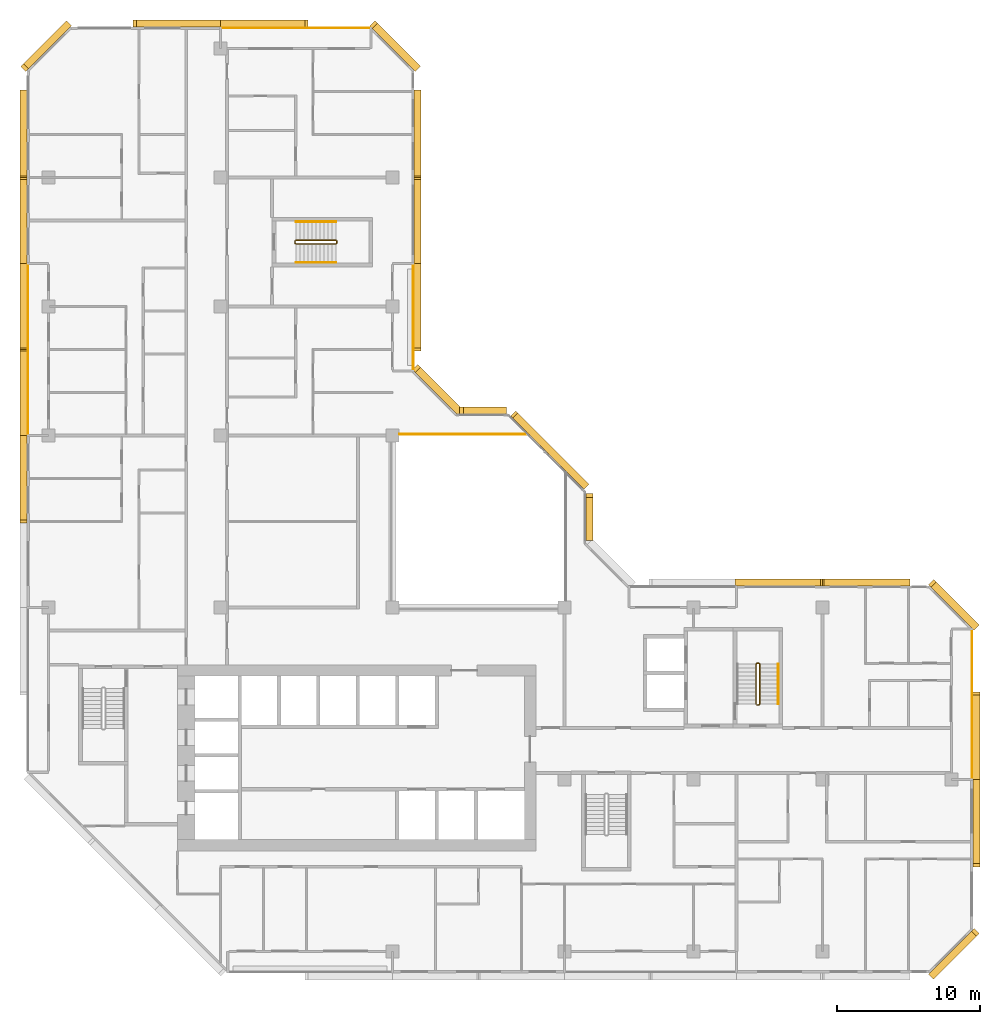
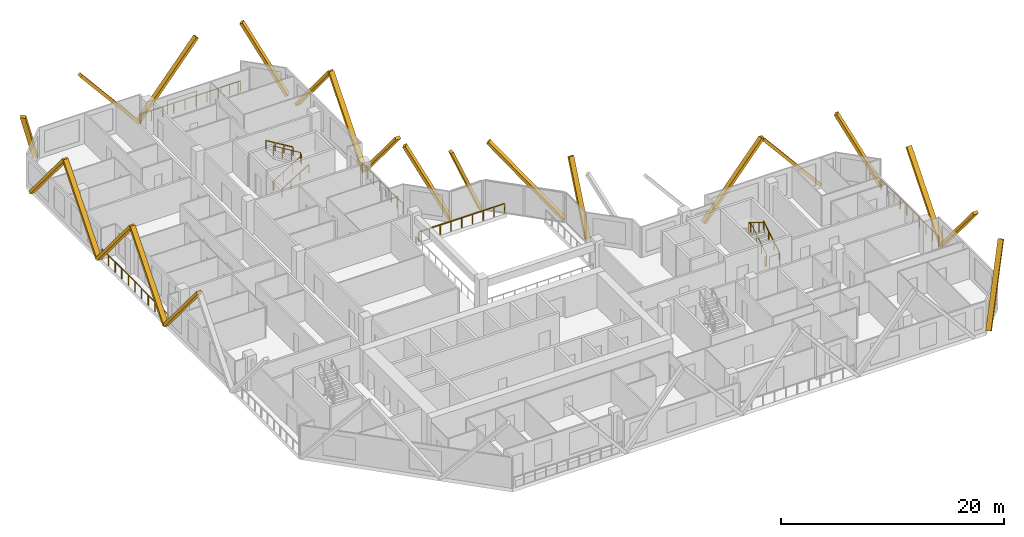
# One storey, part 14 of 14: 22 coverings, 10 railings.
"""IFC4 building model written with IfcOpenShell, lengths in metres."""

from ifc_helpers import new_model, si_unit, direction, frame, origin, origin_2d, place, context, subcontext, project, spatial, rectangle, extrude, material, material_profile, profile_set, type_object, element, save


model = new_model("IFC4")

# Units and contexts
model_context = context("Model", 3, precision=1e-05, world=origin(), true_north=direction((0.0, 1.0)))
body_context = subcontext(model_context, "Body", "Model", "MODEL_VIEW")
ifc_project = project(units=[si_unit("LENGTHUNIT", "METRE"), si_unit("AREAUNIT", "SQUARE_METRE"), si_unit("VOLUMEUNIT", "CUBIC_METRE"), si_unit("PLANEANGLEUNIT", "RADIAN"), si_unit("MASSUNIT", "GRAM", prefix="KILO")], contexts=[model_context])

# Site, building, storey
site_placement = place(None, origin())
site = spatial("IfcSite", under=ifc_project, at=site_placement, CompositionType="ELEMENT")
building_placement = place(site_placement, origin())
building = spatial("IfcBuilding", under=site, at=building_placement, Name="Chenar Terraces", CompositionType="ELEMENT")
storey_placement = place(building_placement, frame((0.0, 0.0, 164.89990234375)))
storey = spatial("IfcBuildingStorey", under=building, at=storey_placement, Name="L37", CompositionType="ELEMENT", Elevation=164.89990234375)

# Railings
ifc_material_1 = material(Name="Powder-coated steel", Category="steel")
railing_type_1 = type_object("IfcRailingType", Name="Guard 1100 steel rail with glass infill", PredefinedType="GUARDRAIL", material=ifc_material_1)
railing_1_placement = place(storey_placement, frame((24.5, 36.10009765625, 0.0)))
element("IfcRailing", 1, at=railing_1_placement, inside=storey, type_object=railing_type_1, Name="Guard L37-2", PredefinedType="GUARDRAIL", context=body_context, shape_type="SweptSolid", body=[
    extrude(rectangle(XDim=0.06005859375, YDim=0.06005859375, at=origin_2d()), frame((0.0, 0.0, 1.070068359375), z_axis=(1.0, 0.0, 0.0), x_axis=(0.0, 1.0, 0.0)), (0.0, 0.0, 1.0), 8.89990234375),
    extrude(rectangle(XDim=0.050048828125, YDim=0.050048828125, at=origin_2d()), origin(), (0.0, 0.0, 1.0), 1.0400390625),
    extrude(rectangle(XDim=0.050048828125, YDim=0.050048828125, at=origin_2d()), frame((1.112548828125, 0.0, 0.0)), (0.0, 0.0, 1.0), 1.0400390625),
    extrude(rectangle(XDim=0.050048828125, YDim=0.050048828125, at=origin_2d()), frame((2.22509765625, 0.0, 0.0)), (0.0, 0.0, 1.0), 1.0400390625),
    extrude(rectangle(XDim=0.050048828125, YDim=0.050048828125, at=origin_2d()), frame((3.33740234375, 0.0, 0.0)), (0.0, 0.0, 1.0), 1.0400390625),
    extrude(rectangle(XDim=0.050048828125, YDim=0.050048828125, at=origin_2d()), frame((4.449951171875, 0.0, 0.0)), (0.0, 0.0, 1.0), 1.0400390625),
    extrude(rectangle(XDim=0.050048828125, YDim=0.050048828125, at=origin_2d()), frame((5.5625, 0.0, 0.0)), (0.0, 0.0, 1.0), 1.0400390625),
    extrude(rectangle(XDim=0.050048828125, YDim=0.050048828125, at=origin_2d()), frame((6.6748046875, 0.0, 0.0)), (0.0, 0.0, 1.0), 1.0400390625),
    extrude(rectangle(XDim=0.050048828125, YDim=0.050048828125, at=origin_2d()), frame((7.787353515625, 0.0, 0.0)), (0.0, 0.0, 1.0), 1.0400390625),
    extrude(rectangle(XDim=0.050048828125, YDim=0.050048828125, at=origin_2d()), frame((8.89990234375, 0.0, 0.0)), (0.0, 0.0, 1.0), 1.0400390625),
])
ifc_material_2 = material(Name="Stainless steel and glass", Category="steel")
railing_type_2 = type_object("IfcRailingType", Name="Loggia guard 1150", PredefinedType="GUARDRAIL", material=ifc_material_2)
railing_2_placement = place(storey_placement, frame((25.449951171875, 40.574951171875, 0.0)))
element("IfcRailing", 2, at=railing_2_placement, inside=storey, type_object=railing_type_2, Name="Loggia guard", PredefinedType="GUARDRAIL", context=body_context, shape_type="SweptSolid", body=[
    extrude(rectangle(XDim=0.048095703125, YDim=0.048095703125, at=origin_2d()), frame((0.0, 0.0, 1.1259765625), z_axis=(0.0, 1.0, 0.0), x_axis=(-1.0, 0.0, 0.0)), (0.0, 0.0, 1.0), 7.35009765625),
    extrude(rectangle(XDim=0.0419921875, YDim=0.0419921875, at=origin_2d()), origin(), (0.0, 0.0, 1.0), 1.101806640625),
    extrude(rectangle(XDim=0.0419921875, YDim=0.0419921875, at=origin_2d()), frame((0.0, 1.050048828125, 0.0)), (0.0, 0.0, 1.0), 1.101806640625),
    extrude(rectangle(XDim=0.0419921875, YDim=0.0419921875, at=origin_2d()), frame((0.0, 2.10009765625, 0.0)), (0.0, 0.0, 1.0), 1.101806640625),
    extrude(rectangle(XDim=0.0419921875, YDim=0.0419921875, at=origin_2d()), frame((0.0, 3.150146484375, 0.0)), (0.0, 0.0, 1.0), 1.101806640625),
    extrude(rectangle(XDim=0.0419921875, YDim=0.0419921875, at=origin_2d()), frame((0.0, 4.199951171875, 0.0)), (0.0, 0.0, 1.0), 1.101806640625),
    extrude(rectangle(XDim=0.0419921875, YDim=0.0419921875, at=origin_2d()), frame((0.0, 5.25, 0.0)), (0.0, 0.0, 1.0), 1.101806640625),
    extrude(rectangle(XDim=0.0419921875, YDim=0.0419921875, at=origin_2d()), frame((0.0, 6.300048828125, 0.0)), (0.0, 0.0, 1.0), 1.101806640625),
    extrude(rectangle(XDim=0.0419921875, YDim=0.0419921875, at=origin_2d()), frame((0.0, 7.35009765625, 0.0)), (0.0, 0.0, 1.0), 1.101806640625),
])
railing_3_placement = place(storey_placement, frame((64.449951171875, 12.074951171875, 0.0)))
element("IfcRailing", 3, at=railing_3_placement, inside=storey, type_object=railing_type_2, Name="Loggia guard", PredefinedType="GUARDRAIL", context=body_context, shape_type="SweptSolid", body=[
    extrude(rectangle(XDim=0.048095703125, YDim=0.048095703125, at=origin_2d()), frame((0.0, 0.0, 1.1259765625), z_axis=(0.0, 1.0, 0.0), x_axis=(-1.0, 0.0, 0.0)), (0.0, 0.0, 1.0), 10.35009765625),
    extrude(rectangle(XDim=0.0419921875, YDim=0.0419921875, at=origin_2d()), origin(), (0.0, 0.0, 1.0), 1.101806640625),
    extrude(rectangle(XDim=0.0419921875, YDim=0.0419921875, at=origin_2d()), frame((0.0, 1.14990234375, 0.0)), (0.0, 0.0, 1.0), 1.101806640625),
    extrude(rectangle(XDim=0.0419921875, YDim=0.0419921875, at=origin_2d()), frame((0.0, 2.300048828125, 0.0)), (0.0, 0.0, 1.0), 1.101806640625),
    extrude(rectangle(XDim=0.0419921875, YDim=0.0419921875, at=origin_2d()), frame((0.0, 3.449951171875, 0.0)), (0.0, 0.0, 1.0), 1.101806640625),
    extrude(rectangle(XDim=0.0419921875, YDim=0.0419921875, at=origin_2d()), frame((0.0, 4.60009765625, 0.0)), (0.0, 0.0, 1.0), 1.101806640625),
    extrude(rectangle(XDim=0.0419921875, YDim=0.0419921875, at=origin_2d()), frame((0.0, 5.75, 0.0)), (0.0, 0.0, 1.0), 1.101806640625),
    extrude(rectangle(XDim=0.0419921875, YDim=0.0419921875, at=origin_2d()), frame((0.0, 6.900146484375, 0.0)), (0.0, 0.0, 1.0), 1.101806640625),
    extrude(rectangle(XDim=0.0419921875, YDim=0.0419921875, at=origin_2d()), frame((0.0, 8.050048828125, 0.0)), (0.0, 0.0, 1.0), 1.101806640625),
    extrude(rectangle(XDim=0.0419921875, YDim=0.0419921875, at=origin_2d()), frame((0.0, 9.2001953125, 0.0)), (0.0, 0.0, 1.0), 1.101806640625),
    extrude(rectangle(XDim=0.0419921875, YDim=0.0419921875, at=origin_2d()), frame((0.0, 10.35009765625, 0.0)), (0.0, 0.0, 1.0), 1.101806640625),
])
railing_4_placement = place(storey_placement, frame((22.425048828125, 64.449951171875, 0.0)))
element("IfcRailing", 4, at=railing_4_placement, inside=storey, type_object=railing_type_2, Name="Loggia guard", PredefinedType="GUARDRAIL", context=body_context, shape_type="SweptSolid", body=[
    extrude(rectangle(XDim=0.048095703125, YDim=0.048095703125, at=origin_2d()), frame((0.0, 0.0, 1.1259765625), z_axis=(-1.0, 0.0, 0.0), x_axis=(0.0, -1.0, 0.0)), (0.0, 0.0, 1.0), 10.35009765625),
    extrude(rectangle(XDim=0.0419921875, YDim=0.0419921875, at=origin_2d()), origin(), (0.0, 0.0, 1.0), 1.101806640625),
    extrude(rectangle(XDim=0.0419921875, YDim=0.0419921875, at=origin_2d()), frame((-1.14990234375, 0.0, 0.0)), (0.0, 0.0, 1.0), 1.101806640625),
    extrude(rectangle(XDim=0.0419921875, YDim=0.0419921875, at=origin_2d()), frame((-2.300048828125, 0.0, 0.0)), (0.0, 0.0, 1.0), 1.101806640625),
    extrude(rectangle(XDim=0.0419921875, YDim=0.0419921875, at=origin_2d()), frame((-3.449951171875, 0.0, 0.0)), (0.0, 0.0, 1.0), 1.101806640625),
    extrude(rectangle(XDim=0.0419921875, YDim=0.0419921875, at=origin_2d()), frame((-4.60009765625, 0.0, 0.0)), (0.0, 0.0, 1.0), 1.101806640625),
    extrude(rectangle(XDim=0.0419921875, YDim=0.0419921875, at=origin_2d()), frame((-5.75, 0.0, 0.0)), (0.0, 0.0, 1.0), 1.101806640625),
    extrude(rectangle(XDim=0.0419921875, YDim=0.0419921875, at=origin_2d()), frame((-6.900146484375, 0.0, 0.0)), (0.0, 0.0, 1.0), 1.101806640625),
    extrude(rectangle(XDim=0.0419921875, YDim=0.0419921875, at=origin_2d()), frame((-8.050048828125, 0.0, 0.0)), (0.0, 0.0, 1.0), 1.101806640625),
    extrude(rectangle(XDim=0.0419921875, YDim=0.0419921875, at=origin_2d()), frame((-9.2001953125, 0.0, 0.0)), (0.0, 0.0, 1.0), 1.101806640625),
    extrude(rectangle(XDim=0.0419921875, YDim=0.0419921875, at=origin_2d()), frame((-10.35009765625, 0.0, 0.0)), (0.0, 0.0, 1.0), 1.101806640625),
])
railing_5_placement = place(storey_placement, frame((-1.449951171875, 47.925048828125, 0.0)))
element("IfcRailing", 5, at=railing_5_placement, inside=storey, type_object=railing_type_2, Name="Loggia guard", PredefinedType="GUARDRAIL", context=body_context, shape_type="SweptSolid", body=[
    extrude(rectangle(XDim=0.048095703125, YDim=0.048095703125, at=origin_2d()), frame((0.0, 0.0, 1.1259765625), z_axis=(0.0, -1.0, 0.0), x_axis=(1.0, 0.0, 0.0)), (0.0, 0.0, 1.0), 11.85009765625),
    extrude(rectangle(XDim=0.0419921875, YDim=0.0419921875, at=origin_2d()), origin(), (0.0, 0.0, 1.0), 1.101806640625),
    extrude(rectangle(XDim=0.0419921875, YDim=0.0419921875, at=origin_2d()), frame((0.0, -1.18505859375, 0.0)), (0.0, 0.0, 1.0), 1.101806640625),
    extrude(rectangle(XDim=0.0419921875, YDim=0.0419921875, at=origin_2d()), frame((0.0, -2.3701171875, 0.0)), (0.0, 0.0, 1.0), 1.101806640625),
    extrude(rectangle(XDim=0.0419921875, YDim=0.0419921875, at=origin_2d()), frame((0.0, -3.554931640625, 0.0)), (0.0, 0.0, 1.0), 1.101806640625),
    extrude(rectangle(XDim=0.0419921875, YDim=0.0419921875, at=origin_2d()), frame((0.0, -4.739990234375, 0.0)), (0.0, 0.0, 1.0), 1.101806640625),
    extrude(rectangle(XDim=0.0419921875, YDim=0.0419921875, at=origin_2d()), frame((0.0, -5.925048828125, 0.0)), (0.0, 0.0, 1.0), 1.101806640625),
    extrude(rectangle(XDim=0.0419921875, YDim=0.0419921875, at=origin_2d()), frame((0.0, -7.110107421875, 0.0)), (0.0, 0.0, 1.0), 1.101806640625),
    extrude(rectangle(XDim=0.0419921875, YDim=0.0419921875, at=origin_2d()), frame((0.0, -8.295166015625, 0.0)), (0.0, 0.0, 1.0), 1.101806640625),
    extrude(rectangle(XDim=0.0419921875, YDim=0.0419921875, at=origin_2d()), frame((0.0, -9.47998046875, 0.0)), (0.0, 0.0, 1.0), 1.101806640625),
    extrude(rectangle(XDim=0.0419921875, YDim=0.0419921875, at=origin_2d()), frame((0.0, -10.6650390625, 0.0)), (0.0, 0.0, 1.0), 1.101806640625),
    extrude(rectangle(XDim=0.0419921875, YDim=0.0419921875, at=origin_2d()), frame((0.0, -11.85009765625, 0.0)), (0.0, 0.0, 1.0), 1.101806640625),
])
ifc_material_3 = material(Name="Powder-coated steel", Category="steel")
railing_type_3 = type_object("IfcRailingType", Name="Stair guard 1100", PredefinedType="GUARDRAIL", material=ifc_material_3)
railing_6_placement = place(storey_placement, frame((49.375, 17.25, 3.75)))
element("IfcRailing", 6, at=railing_6_placement, inside=storey, type_object=railing_type_3, Name="L37 ST3 stair guard 1", PredefinedType="GUARDRAIL", context=body_context, shape_type="SweptSolid", body=[
    extrude(rectangle(XDim=0.048095703125, YDim=0.048095703125, at=origin_2d()), frame((0.0, 0.0, 1.076171875), z_axis=(0.0, 0.854202870247, -0.519939858505), x_axis=(-1.0, 0.0, 0.0)), (0.0, 0.0, 1.0), 3.278076171875),
    extrude(rectangle(XDim=0.048095703125, YDim=0.048095703125, at=origin_2d()), frame((0.0, 2.800048828125, -0.62841796875), z_axis=(0.270899902878, 0.270899902878, -0.923702595667), x_axis=(-0.707106781187, 0.707106781187, 0.0)), (0.0, 0.0, 1.0), 0.184814453125),
    extrude(rectangle(XDim=0.048095703125, YDim=0.048095703125, at=origin_2d()), frame((0.050048828125, 2.85009765625, -0.798828125), z_axis=(1.0, 0.0, 0.0), x_axis=(0.0, 1.0, 0.0)), (0.0, 0.0, 1.0), 0.14990234375),
    extrude(rectangle(XDim=0.048095703125, YDim=0.048095703125, at=origin_2d()), frame((0.199951171875, 2.85009765625, -0.798828125), z_axis=(0.707106781187, -0.707106781187, 0.0), x_axis=(0.707106781187, 0.707106781187, 0.0)), (0.0, 0.0, 1.0), 0.07080078125),
    extrude(rectangle(XDim=0.048095703125, YDim=0.048095703125, at=origin_2d()), frame((0.25, 2.800048828125, -0.798828125), z_axis=(0.0, -0.854202870247, -0.519939858505), x_axis=(1.0, 0.0, 0.0)), (0.0, 0.0, 1.0), 3.278076171875),
    extrude(rectangle(XDim=0.048095703125, YDim=0.048095703125, at=origin_2d()), frame((0.25, 0.0, -2.50341796875), z_axis=(-0.270899902878, -0.270899902878, -0.923702595667), x_axis=(0.707106781187, -0.707106781187, 0.0)), (0.0, 0.0, 1.0), 0.184814453125),
    extrude(rectangle(XDim=0.048095703125, YDim=0.048095703125, at=origin_2d()), frame((0.199951171875, -0.050048828125, -2.673828125), z_axis=(-1.0, 0.0, 0.0), x_axis=(0.0, -1.0, 0.0)), (0.0, 0.0, 1.0), 0.14990234375),
    extrude(rectangle(XDim=0.0419921875, YDim=0.0419921875, at=origin_2d()), origin(), (0.0, 0.0, 1.0), 1.052001953125),
    extrude(rectangle(XDim=0.0419921875, YDim=0.0419921875, at=origin_2d()), frame((0.0, 0.933349609375, -0.568115234375)), (0.0, 0.0, 1.0), 1.052001953125),
    extrude(rectangle(XDim=0.0419921875, YDim=0.0419921875, at=origin_2d()), frame((0.0, 1.86669921875, -1.13623046875)), (0.0, 0.0, 1.0), 1.052001953125),
    extrude(rectangle(XDim=0.0419921875, YDim=0.0419921875, at=origin_2d()), frame((0.0, 2.800048828125, -1.704345703125)), (0.0, 0.0, 1.0), 1.052001953125),
    extrude(rectangle(XDim=0.0419921875, YDim=0.0419921875, at=origin_2d()), frame((0.050048828125, 2.85009765625, -1.875)), (0.0, 0.0, 1.0), 1.052001953125),
    extrude(rectangle(XDim=0.0419921875, YDim=0.0419921875, at=origin_2d()), frame((0.199951171875, 2.85009765625, -1.875)), (0.0, 0.0, 1.0), 1.052001953125),
    extrude(rectangle(XDim=0.0419921875, YDim=0.0419921875, at=origin_2d()), frame((0.25, 2.800048828125, -1.875)), (0.0, 0.0, 1.0), 1.052001953125),
    extrude(rectangle(XDim=0.0419921875, YDim=0.0419921875, at=origin_2d()), frame((0.25, 1.86669921875, -2.443115234375)), (0.0, 0.0, 1.0), 1.052001953125),
    extrude(rectangle(XDim=0.0419921875, YDim=0.0419921875, at=origin_2d()), frame((0.25, 0.933349609375, -3.01123046875)), (0.0, 0.0, 1.0), 1.052001953125),
    extrude(rectangle(XDim=0.0419921875, YDim=0.0419921875, at=origin_2d()), frame((0.25, 0.0, -3.579345703125)), (0.0, 0.0, 1.0), 1.052001953125),
    extrude(rectangle(XDim=0.0419921875, YDim=0.0419921875, at=origin_2d()), frame((0.199951171875, -0.050048828125, -3.75)), (0.0, 0.0, 1.0), 1.052001953125),
    extrude(rectangle(XDim=0.0419921875, YDim=0.0419921875, at=origin_2d()), frame((0.050048828125, -0.050048828125, -3.75)), (0.0, 0.0, 1.0), 1.052001953125),
])
railing_7_placement = place(storey_placement, frame((17.25, 49.625, 3.75)))
element("IfcRailing", 7, at=railing_7_placement, inside=storey, type_object=railing_type_3, Name="L37 ST4 stair guard 1", PredefinedType="GUARDRAIL", context=body_context, shape_type="SweptSolid", body=[
    extrude(rectangle(XDim=0.048095703125, YDim=0.048095703125, at=origin_2d()), frame((0.0, 0.0, 1.076171875), z_axis=(0.854202870247, 0.0, -0.519939858505), x_axis=(0.0, 1.0, 0.0)), (0.0, 0.0, 1.0), 3.278076171875),
    extrude(rectangle(XDim=0.048095703125, YDim=0.048095703125, at=origin_2d()), frame((2.800048828125, 0.0, -0.62841796875), z_axis=(0.270899902878, -0.270899902878, -0.923702595667), x_axis=(0.707106781187, 0.707106781187, 0.0)), (0.0, 0.0, 1.0), 0.184814453125),
    extrude(rectangle(XDim=0.048095703125, YDim=0.048095703125, at=origin_2d()), frame((2.85009765625, -0.050048828125, -0.798828125), z_axis=(0.0, -1.0, 0.0), x_axis=(1.0, 0.0, 0.0)), (0.0, 0.0, 1.0), 0.14990234375),
    extrude(rectangle(XDim=0.048095703125, YDim=0.048095703125, at=origin_2d()), frame((2.85009765625, -0.199951171875, -0.798828125), z_axis=(-0.707106781187, -0.707106781187, 0.0), x_axis=(0.707106781187, -0.707106781187, 0.0)), (0.0, 0.0, 1.0), 0.07080078125),
    extrude(rectangle(XDim=0.048095703125, YDim=0.048095703125, at=origin_2d()), frame((2.800048828125, -0.25, -0.798828125), z_axis=(-0.854202870247, 0.0, -0.519939858505), x_axis=(0.0, -1.0, 0.0)), (0.0, 0.0, 1.0), 3.278076171875),
    extrude(rectangle(XDim=0.048095703125, YDim=0.048095703125, at=origin_2d()), frame((0.0, -0.25, -2.50341796875), z_axis=(-0.270899902878, 0.270899902878, -0.923702595667), x_axis=(-0.707106781187, -0.707106781187, 0.0)), (0.0, 0.0, 1.0), 0.184814453125),
    extrude(rectangle(XDim=0.048095703125, YDim=0.048095703125, at=origin_2d()), frame((-0.050048828125, -0.199951171875, -2.673828125), z_axis=(0.0, 1.0, 0.0), x_axis=(-1.0, 0.0, 0.0)), (0.0, 0.0, 1.0), 0.14990234375),
    extrude(rectangle(XDim=0.0419921875, YDim=0.0419921875, at=origin_2d()), origin(), (0.0, 0.0, 1.0), 1.052001953125),
    extrude(rectangle(XDim=0.0419921875, YDim=0.0419921875, at=origin_2d()), frame((0.933349609375, 0.0, -0.568115234375)), (0.0, 0.0, 1.0), 1.052001953125),
    extrude(rectangle(XDim=0.0419921875, YDim=0.0419921875, at=origin_2d()), frame((1.86669921875, 0.0, -1.13623046875)), (0.0, 0.0, 1.0), 1.052001953125),
    extrude(rectangle(XDim=0.0419921875, YDim=0.0419921875, at=origin_2d()), frame((2.800048828125, 0.0, -1.704345703125)), (0.0, 0.0, 1.0), 1.052001953125),
    extrude(rectangle(XDim=0.0419921875, YDim=0.0419921875, at=origin_2d()), frame((2.85009765625, -0.050048828125, -1.875)), (0.0, 0.0, 1.0), 1.052001953125),
    extrude(rectangle(XDim=0.0419921875, YDim=0.0419921875, at=origin_2d()), frame((2.85009765625, -0.199951171875, -1.875)), (0.0, 0.0, 1.0), 1.052001953125),
    extrude(rectangle(XDim=0.0419921875, YDim=0.0419921875, at=origin_2d()), frame((2.800048828125, -0.25, -1.875)), (0.0, 0.0, 1.0), 1.052001953125),
    extrude(rectangle(XDim=0.0419921875, YDim=0.0419921875, at=origin_2d()), frame((1.86669921875, -0.25, -2.443115234375)), (0.0, 0.0, 1.0), 1.052001953125),
    extrude(rectangle(XDim=0.0419921875, YDim=0.0419921875, at=origin_2d()), frame((0.933349609375, -0.25, -3.01123046875)), (0.0, 0.0, 1.0), 1.052001953125),
    extrude(rectangle(XDim=0.0419921875, YDim=0.0419921875, at=origin_2d()), frame((0.0, -0.25, -3.579345703125)), (0.0, 0.0, 1.0), 1.052001953125),
    extrude(rectangle(XDim=0.0419921875, YDim=0.0419921875, at=origin_2d()), frame((-0.050048828125, -0.199951171875, -3.75)), (0.0, 0.0, 1.0), 1.052001953125),
    extrude(rectangle(XDim=0.0419921875, YDim=0.0419921875, at=origin_2d()), frame((-0.050048828125, -0.050048828125, -3.75)), (0.0, 0.0, 1.0), 1.052001953125),
])
ifc_material_4 = material(Name="Powder-coated steel", Category="steel")
railing_type_4 = type_object("IfcRailingType", Name="Stair handrail 900", PredefinedType="HANDRAIL", material=ifc_material_4)
railing_8_placement = place(storey_placement, frame((50.925048828125, 17.25, 0.170654296875)))
element("IfcRailing", 8, at=railing_8_placement, inside=storey, type_object=railing_type_4, Name="L37 ST3 stair handrail 1", PredefinedType="HANDRAIL", context=body_context, shape_type="SweptSolid", body=[
    extrude(rectangle(XDim=0.048095703125, YDim=0.048095703125, at=origin_2d()), frame((0.0, 0.0, 0.8759765625), z_axis=(0.0, 0.854202870247, 0.519939858505), x_axis=(-1.0, 0.0, 0.0)), (0.0, 0.0, 1.0), 3.278076171875),
    extrude(rectangle(XDim=0.0419921875, YDim=0.0419921875, at=origin_2d()), origin(), (0.0, 0.0, 1.0), 0.851806640625),
    extrude(rectangle(XDim=0.0419921875, YDim=0.0419921875, at=origin_2d()), frame((0.0, 0.933349609375, 0.568115234375)), (0.0, 0.0, 1.0), 0.851806640625),
    extrude(rectangle(XDim=0.0419921875, YDim=0.0419921875, at=origin_2d()), frame((0.0, 1.86669921875, 1.13623046875)), (0.0, 0.0, 1.0), 0.851806640625),
    extrude(rectangle(XDim=0.0419921875, YDim=0.0419921875, at=origin_2d()), frame((0.0, 2.800048828125, 1.704345703125)), (0.0, 0.0, 1.0), 0.851806640625),
])
railing_9_placement = place(storey_placement, frame((17.25, 48.074951171875, 0.170654296875)))
element("IfcRailing", 9, at=railing_9_placement, inside=storey, type_object=railing_type_4, Name="L37 ST4 stair handrail 1", PredefinedType="HANDRAIL", context=body_context, shape_type="SweptSolid", body=[
    extrude(rectangle(XDim=0.048095703125, YDim=0.048095703125, at=origin_2d()), frame((0.0, 0.0, 0.8759765625), z_axis=(0.854202870247, 0.0, 0.519939858505), x_axis=(0.0, 1.0, 0.0)), (0.0, 0.0, 1.0), 3.278076171875),
    extrude(rectangle(XDim=0.0419921875, YDim=0.0419921875, at=origin_2d()), origin(), (0.0, 0.0, 1.0), 0.851806640625),
    extrude(rectangle(XDim=0.0419921875, YDim=0.0419921875, at=origin_2d()), frame((0.933349609375, 0.0, 0.568115234375)), (0.0, 0.0, 1.0), 0.851806640625),
    extrude(rectangle(XDim=0.0419921875, YDim=0.0419921875, at=origin_2d()), frame((1.86669921875, 0.0, 1.13623046875)), (0.0, 0.0, 1.0), 0.851806640625),
    extrude(rectangle(XDim=0.0419921875, YDim=0.0419921875, at=origin_2d()), frame((2.800048828125, 0.0, 1.704345703125)), (0.0, 0.0, 1.0), 0.851806640625),
])
railing_10_placement = place(storey_placement, frame((20.050048828125, 50.925048828125, 2.045654296875)))
element("IfcRailing", 10, at=railing_10_placement, inside=storey, type_object=railing_type_4, Name="L37 ST4 stair handrail 2", PredefinedType="HANDRAIL", context=body_context, shape_type="SweptSolid", body=[
    extrude(rectangle(XDim=0.048095703125, YDim=0.048095703125, at=origin_2d()), frame((0.0, 0.0, 0.8759765625), z_axis=(-0.854202870247, 0.0, 0.519939858505), x_axis=(0.0, -1.0, 0.0)), (0.0, 0.0, 1.0), 3.278076171875),
    extrude(rectangle(XDim=0.0419921875, YDim=0.0419921875, at=origin_2d()), origin(), (0.0, 0.0, 1.0), 0.851806640625),
    extrude(rectangle(XDim=0.0419921875, YDim=0.0419921875, at=origin_2d()), frame((-0.933349609375, 0.0, 0.568115234375)), (0.0, 0.0, 1.0), 0.851806640625),
    extrude(rectangle(XDim=0.0419921875, YDim=0.0419921875, at=origin_2d()), frame((-1.86669921875, 0.0, 1.13623046875)), (0.0, 0.0, 1.0), 0.851806640625),
    extrude(rectangle(XDim=0.0419921875, YDim=0.0419921875, at=origin_2d()), frame((-2.800048828125, 0.0, 1.704345703125)), (0.0, 0.0, 1.0), 0.851806640625),
])

# Coverings
ifc_material_5 = material(Name="Terracotta", Category="masonry")
ifc_material_profile = material_profile(ifc_material_5, rectangle(XDim=0.5, YDim=0.300048828125, at=origin_2d()), Name="Terracotta baguette 500 x 300")
ifc_profile_set = profile_set([ifc_material_profile], Name="Terracotta")
covering_type = type_object("IfcCoveringType", Name="Terracotta baguette 500 x 300", PredefinedType="CLADDING", material=ifc_profile_set)
for number, where, z_axis, x_axis, name in (
    (11, (60.0, 25.75, 0.150146484375), (-0.640186961885, 0.0, 0.768219144407), (0.0, -1.0, 0.0), "Terracotta baguette"),
    (12, (54.0, 25.75, 7.35009765625), (-0.640186961885, 0.0, -0.768219144407), (0.0, -1.0, 0.0), "Terracotta baguette"),
):
    element("IfcCovering", number, at=place(storey_placement, frame(where, z_axis=z_axis, x_axis=x_axis)), inside=storey, type_object=covering_type, Name=name, PredefinedType="CLADDING", context=body_context, shape_type="SweptSolid", body=[
        extrude(rectangle(XDim=0.5, YDim=0.300048828125, at=origin_2d()), origin(), (0.0, 0.0, 1.0), 9.372314453125),
    ])
covering_1_placement = place(storey_placement, frame((37.75, 28.800048828125, 0.150146484375), z_axis=(0.0, 0.384617607118, 0.923075997031), x_axis=(-1.0, 0.0, 0.0)))
element("IfcCovering", 13, at=covering_1_placement, inside=storey, type_object=covering_type, Name="Terracotta baguette", PredefinedType="CLADDING", context=body_context, shape_type="SweptSolid", body=[
    extrude(rectangle(XDim=0.5, YDim=0.300048828125, at=origin_2d()), origin(), (0.0, 0.0, 1.0), 7.800048828125),
])
covering_2_placement = place(storey_placement, frame((37.464599609375, 32.489013671875, 0.150146484375), z_axis=(-0.4942466441, 0.494222393737, 0.715167449151), x_axis=(-0.707089433343, -0.707124128605, 0.0)))
element("IfcCovering", 14, at=covering_2_placement, inside=storey, type_object=covering_type, Name="Terracotta baguette", PredefinedType="CLADDING", context=body_context, shape_type="SweptSolid", body=[
    extrude(rectangle(XDim=0.5, YDim=0.300048828125, at=origin_2d()), origin(), (0.0, 0.0, 1.0), 10.0673828125),
])
covering_3_placement = place(storey_placement, frame((31.800048828125, 37.75, 0.150146484375), z_axis=(-0.384617607118, 0.0, 0.923075997031), x_axis=(0.0, -1.0, 0.0)))
element("IfcCovering", 15, at=covering_3_placement, inside=storey, type_object=covering_type, Name="Terracotta baguette", PredefinedType="CLADDING", context=body_context, shape_type="SweptSolid", body=[
    extrude(rectangle(XDim=0.5, YDim=0.300048828125, at=origin_2d()), origin(), (0.0, 0.0, 1.0), 7.800048828125),
])
covering_4_placement = place(storey_placement, frame((28.6767578125, 37.6767578125, 0.150146484375), z_axis=(-0.358980886355, 0.358980886355, 0.861548284464), x_axis=(-0.707106781187, -0.707106781187, 0.0)))
element("IfcCovering", 16, at=covering_4_placement, inside=storey, type_object=covering_type, Name="Terracotta baguette", PredefinedType="CLADDING", context=body_context, shape_type="SweptSolid", body=[
    extrude(rectangle(XDim=0.5, YDim=0.300048828125, at=origin_2d()), origin(), (0.0, 0.0, 1.0), 8.35693359375),
])
for number, where, z_axis, x_axis, name in (
    (17, (25.75, 42.0, 7.35009765625), (0.0, 0.640186961885, -0.768219144407), (-1.0, 0.0, 0.0), "Terracotta baguette"),
    (18, (25.75, 48.0, 0.150146484375), (0.0, 0.640186961885, 0.768219144407), (-1.0, 0.0, 0.0), "Terracotta baguette"),
    (19, (25.75, 54.0, 7.35009765625), (0.0, 0.640186961885, -0.768219144407), (-1.0, 0.0, 0.0), "Terracotta baguette"),
):
    element("IfcCovering", number, at=place(storey_placement, frame(where, z_axis=z_axis, x_axis=x_axis)), inside=storey, type_object=covering_type, Name=name, PredefinedType="CLADDING", context=body_context, shape_type="SweptSolid", body=[
        extrude(rectangle(XDim=0.5, YDim=0.300048828125, at=origin_2d()), origin(), (0.0, 0.0, 1.0), 9.372314453125),
    ])
covering_5_placement = place(storey_placement, frame((25.6767578125, 61.6767578125, 0.150146484375), z_axis=(-0.358980886355, 0.358980886355, 0.861548284464), x_axis=(-0.707106781187, -0.707106781187, 0.0)))
element("IfcCovering", 20, at=covering_5_placement, inside=storey, type_object=covering_type, Name="Terracotta baguette", PredefinedType="CLADDING", context=body_context, shape_type="SweptSolid", body=[
    extrude(rectangle(XDim=0.5, YDim=0.300048828125, at=origin_2d()), origin(), (0.0, 0.0, 1.0), 8.35693359375),
])
for number, where, z_axis, x_axis, name in (
    (21, (18.0, 64.75, 7.35009765625), (-0.640186961885, 0.0, -0.768219144407), (0.0, -1.0, 0.0), "Terracotta baguette"),
    (22, (12.0, 64.75, 0.150146484375), (-0.640186961885, 0.0, 0.768219144407), (0.0, -1.0, 0.0), "Terracotta baguette"),
):
    element("IfcCovering", number, at=place(storey_placement, frame(where, z_axis=z_axis, x_axis=x_axis)), inside=storey, type_object=covering_type, Name=name, PredefinedType="CLADDING", context=body_context, shape_type="SweptSolid", body=[
        extrude(rectangle(XDim=0.5, YDim=0.300048828125, at=origin_2d()), origin(), (0.0, 0.0, 1.0), 9.372314453125),
    ])
covering_6_placement = place(storey_placement, frame((1.3232421875, 64.6767578125, 0.150146484375), z_axis=(-0.358980886355, -0.358980886355, 0.861548284464), x_axis=(0.707106781187, -0.707106781187, 0.0)))
element("IfcCovering", 23, at=covering_6_placement, inside=storey, type_object=covering_type, Name="Terracotta baguette", PredefinedType="CLADDING", context=body_context, shape_type="SweptSolid", body=[
    extrude(rectangle(XDim=0.5, YDim=0.300048828125, at=origin_2d()), origin(), (0.0, 0.0, 1.0), 8.35693359375),
])
for number, where, z_axis, x_axis, name in (
    (24, (-1.75, 60.0, 0.150146484375), (0.0, -0.640186961885, 0.768219144407), (1.0, 0.0, 0.0), "Terracotta baguette"),
    (25, (-1.75, 54.0, 7.35009765625), (0.0, -0.640186961885, -0.768219144407), (1.0, 0.0, 0.0), "Terracotta baguette"),
    (26, (-1.75, 48.0, 0.150146484375), (0.0, -0.640186961885, 0.768219144407), (1.0, 0.0, 0.0), "Terracotta baguette"),
    (27, (-1.75, 42.0, 7.35009765625), (0.0, -0.640186961885, -0.768219144407), (1.0, 0.0, 0.0), "Terracotta baguette"),
    (28, (-1.75, 36.0, 0.150146484375), (0.0, -0.640186961885, 0.768219144407), (1.0, 0.0, 0.0), "Terracotta baguette"),
):
    element("IfcCovering", number, at=place(storey_placement, frame(where, z_axis=z_axis, x_axis=x_axis)), inside=storey, type_object=covering_type, Name=name, PredefinedType="CLADDING", context=body_context, shape_type="SweptSolid", body=[
        extrude(rectangle(XDim=0.5, YDim=0.300048828125, at=origin_2d()), origin(), (0.0, 0.0, 1.0), 9.372314453125),
    ])
covering_7_placement = place(storey_placement, frame((61.6767578125, -1.6767578125, 0.150146484375), z_axis=(0.358980886355, 0.358980886355, 0.861548284464), x_axis=(-0.707106781187, 0.707106781187, 0.0)))
element("IfcCovering", 29, at=covering_7_placement, inside=storey, type_object=covering_type, Name="Terracotta baguette", PredefinedType="CLADDING", context=body_context, shape_type="SweptSolid", body=[
    extrude(rectangle(XDim=0.5, YDim=0.300048828125, at=origin_2d()), origin(), (0.0, 0.0, 1.0), 8.35693359375),
])
for number, where, z_axis, x_axis, name in (
    (30, (64.75, 6.0, 7.35009765625), (0.0, 0.640186961885, -0.768219144407), (-1.0, 0.0, 0.0), "Terracotta baguette"),
    (31, (64.75, 12.0, 0.150146484375), (0.0, 0.640186961885, 0.768219144407), (-1.0, 0.0, 0.0), "Terracotta baguette"),
):
    element("IfcCovering", number, at=place(storey_placement, frame(where, z_axis=z_axis, x_axis=x_axis)), inside=storey, type_object=covering_type, Name=name, PredefinedType="CLADDING", context=body_context, shape_type="SweptSolid", body=[
        extrude(rectangle(XDim=0.5, YDim=0.300048828125, at=origin_2d()), origin(), (0.0, 0.0, 1.0), 9.372314453125),
    ])
covering_8_placement = place(storey_placement, frame((64.6767578125, 22.6767578125, 0.150146484375), z_axis=(-0.358980886355, 0.358980886355, 0.861548284464), x_axis=(-0.707106781187, -0.707106781187, 0.0)))
element("IfcCovering", 32, at=covering_8_placement, inside=storey, type_object=covering_type, Name="Terracotta baguette", PredefinedType="CLADDING", context=body_context, shape_type="SweptSolid", body=[
    extrude(rectangle(XDim=0.5, YDim=0.300048828125, at=origin_2d()), origin(), (0.0, 0.0, 1.0), 8.35693359375),
])

save(model, "model.ifc")
